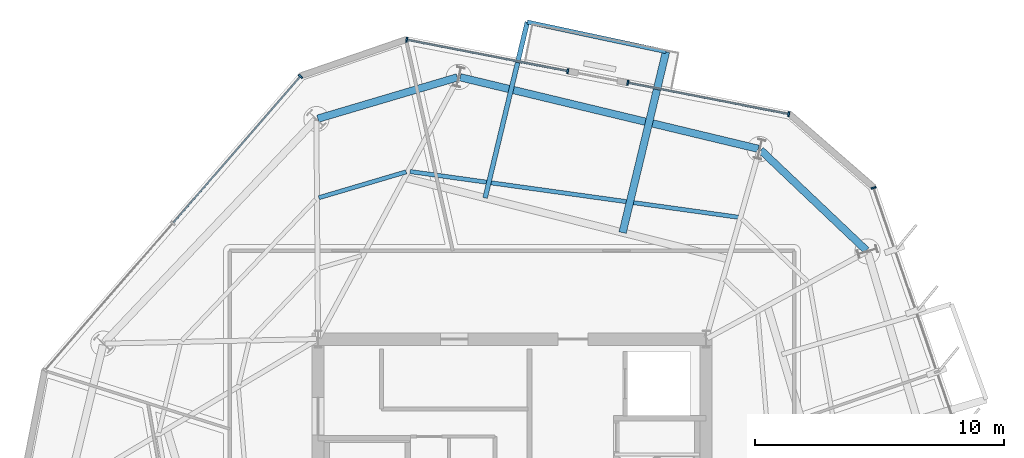
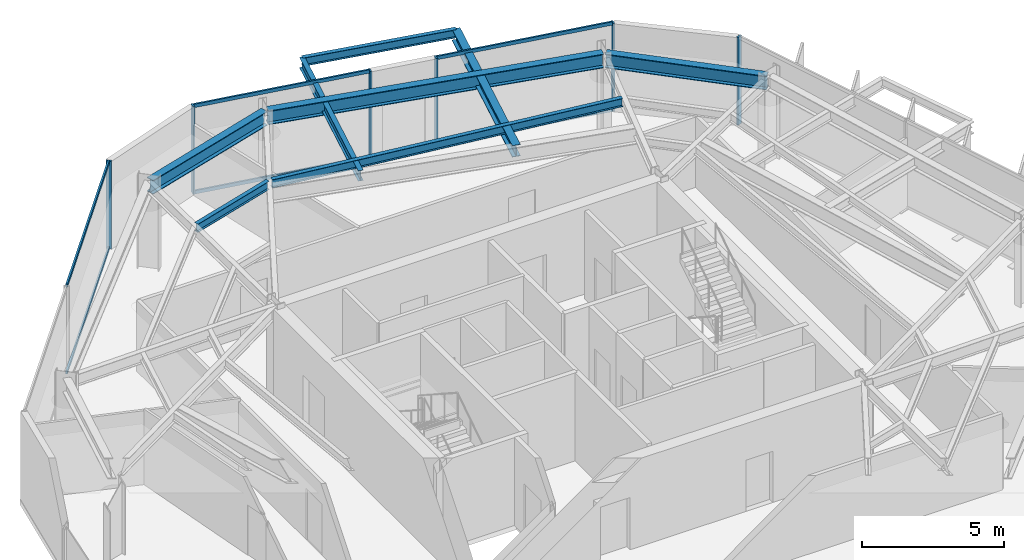
# One storey, part 5 of 11: 12 members, 8 beams, 4 elements without a shape of their own.
"""IFC4 building model written with IfcOpenShell, lengths in metres."""

from ifc_helpers import new_model, si_unit, direction, frame, origin, origin_2d, place, context, subcontext, project, spatial, rectangle, i_section, extrude, material, layer, layer_set, material_profile, profile_set, type_object, element, aggregate, save


model = new_model("IFC4")

# Units and contexts
model_context = context("Model", 3, precision=1e-05, world=origin(), true_north=direction((0.0, 1.0)))
body_context = subcontext(model_context, "Body", "Model", "MODEL_VIEW")
ifc_project = project(units=[si_unit("LENGTHUNIT", "METRE"), si_unit("AREAUNIT", "SQUARE_METRE"), si_unit("VOLUMEUNIT", "CUBIC_METRE"), si_unit("PLANEANGLEUNIT", "RADIAN"), si_unit("MASSUNIT", "GRAM", prefix="KILO")], contexts=[model_context])

# Site, building, storey
site_placement = place(None, origin())
site = spatial("IfcSite", under=ifc_project, at=site_placement, CompositionType="ELEMENT")
building_placement = place(site_placement, origin())
building = spatial("IfcBuilding", under=site, at=building_placement, Name="Kranzbogen Civic Tower", CompositionType="ELEMENT")
storey_placement = place(building_placement, frame((0.0, 0.0, 220.800048828125)))
storey = spatial("IfcBuildingStorey", under=building, at=storey_placement, Name="L53", CompositionType="ELEMENT", Elevation=220.800048828125)

# Beam
ifc_material_1 = material(Name="Steel S355", Category="steel")
ifc_material_profile_1 = material_profile(ifc_material_1, i_section(OverallWidth=0.18994140625, OverallDepth=0.449951171875, WebThickness=0.009521484375, FlangeThickness=0.0146484375, at=origin_2d()), Name="IPE 450")
ifc_profile_set_1 = profile_set([ifc_material_profile_1], Name="Steel S355")
beam_type_1 = type_object("IfcBeamType", Name="Braced Terrace Edge Beam IPE 450", PredefinedType="BEAM", material=ifc_profile_set_1)
beam_1_placement = place(storey_placement, frame((23.9189453125, 37.873046875, 3.494873046875), z_axis=(0.233435153913, 0.972372371532, 0.0), x_axis=(-0.972372371532, 0.233435153913, 0.0)))
element("IfcBeam", 1, at=beam_1_placement, inside=storey, type_object=beam_type_1, Name="L54 back-spanned terrace beam L54-ST-2", PredefinedType="BEAM", context=body_context, shape_type="SweptSolid", body=[
    extrude(i_section(OverallWidth=0.18994140625, OverallDepth=0.449951171875, WebThickness=0.009521484375, FlangeThickness=0.0146484375, at=origin_2d()), origin(), (0.0, 0.0, 1.0), 7.27392578125),
])

# Curtain wall, members
ifc_material_2 = material(Name="Pale Anodised Aluminium", Category="aluminium")
ifc_layer = layer(ifc_material_2, 0.219970703125, Name="Pale Anodised Aluminium")
ifc_layer_set = layer_set([ifc_layer], Name="Pale Anodised Aluminium")
curtain_wall_type = type_object("IfcCurtainWallType", Name="Zone 3 Stick Curtain Wall System CW-04", PredefinedType="USERDEFINED", material=ifc_layer_set)
curtain_wall_1_placement = place(storey_placement, origin())
curtain_wall_1 = element("IfcCurtainWall", 2, at=curtain_wall_1_placement, inside=storey, type_object=curtain_wall_type, Name="L53 curtain wall CW-L53-F1-S1", ObjectType="STICK CURTAIN WALL", PredefinedType="USERDEFINED")
ifc_material_profile_2 = material_profile(ifc_material_2, rectangle(XDim=0.070068359375, YDim=0.199951171875, at=origin_2d()), Name="ALU-M 70x200")
ifc_profile_set_2 = profile_set([ifc_material_profile_2], Name="Pale Anodised Aluminium")
member_type_1 = type_object("IfcMemberType", Name="Curtain Wall Mullion ALU-M 70x200", PredefinedType="MULLION", material=ifc_profile_set_2)
member_1_placement = place(storey_placement, frame((36.128662109375, 41.246826171875, 0.0), z_axis=(0.0, 0.0, 1.0), x_axis=(-0.981641195135, 0.190736897361, 0.0)))
member_1 = element("IfcMember", 3, at=member_1_placement, type_object=member_type_1, Name="CW-04 mullion 1", PredefinedType="MULLION", context=body_context, shape_type="SweptSolid", body=[
    extrude(rectangle(XDim=0.070068359375, YDim=0.199951171875, at=origin_2d()), origin(), (0.0, 0.0, 1.0), 3.780029296875),
])
member_2_placement = place(storey_placement, frame((29.656494140625, 42.50439453125, 0.0), z_axis=(0.0, 0.0, 1.0), x_axis=(-0.981641195135, 0.190736897361, 0.0)))
member_2 = element("IfcMember", 4, at=member_2_placement, type_object=member_type_1, Name="CW-04 mullion 2", PredefinedType="MULLION", context=body_context, shape_type="SweptSolid", body=[
    extrude(rectangle(XDim=0.070068359375, YDim=0.199951171875, at=origin_2d()), origin(), (0.0, 0.0, 1.0), 3.780029296875),
])

curtain_wall_2_placement = place(storey_placement, origin())
curtain_wall_2 = element("IfcCurtainWall", 5, at=curtain_wall_2_placement, inside=storey, type_object=curtain_wall_type, Name="L53 curtain wall CW-L53-F1-S2", ObjectType="STICK CURTAIN WALL", PredefinedType="USERDEFINED")
member_3_placement = place(storey_placement, frame((27.241455078125, 42.9736328125, 0.0), z_axis=(0.0, 0.0, 1.0), x_axis=(-0.981623990701, 0.190825419902, 0.0)))
member_3 = element("IfcMember", 6, at=member_3_placement, type_object=member_type_1, Name="CW-04 mullion 1", PredefinedType="MULLION", context=body_context, shape_type="SweptSolid", body=[
    extrude(rectangle(XDim=0.070068359375, YDim=0.199951171875, at=origin_2d()), origin(), (0.0, 0.0, 1.0), 3.780029296875),
])
member_4_placement = place(storey_placement, frame((20.767333984375, 44.232177734375, 0.0), z_axis=(0.0, 0.0, 1.0), x_axis=(-0.981623990701, 0.190825419902, 0.0)))
member_4 = element("IfcMember", 7, at=member_4_placement, type_object=member_type_1, Name="CW-04 mullion 2", PredefinedType="MULLION", context=body_context, shape_type="SweptSolid", body=[
    extrude(rectangle(XDim=0.070068359375, YDim=0.199951171875, at=origin_2d()), origin(), (0.0, 0.0, 1.0), 3.780029296875),
])

# Curtain wall, member
curtain_wall_3_placement = place(storey_placement, origin())
curtain_wall_3 = element("IfcCurtainWall", 8, at=curtain_wall_3_placement, inside=storey, type_object=curtain_wall_type, Name="L53 curtain wall CW-L53-F2", ObjectType="STICK CURTAIN WALL", PredefinedType="USERDEFINED")
member_5_placement = place(storey_placement, frame((16.494384765625, 42.761474609375, 0.0), z_axis=(0.0, 0.0, 1.0), x_axis=(-0.656044731829, -0.754722008318, 0.0)))
member_5 = element("IfcMember", 9, at=member_5_placement, type_object=member_type_1, Name="CW-04 mullion 1", PredefinedType="MULLION", context=body_context, shape_type="SweptSolid", body=[
    extrude(rectangle(XDim=0.070068359375, YDim=0.199951171875, at=origin_2d()), origin(), (0.0, 0.0, 1.0), 3.780029296875),
])

curtain_wall_4_placement = place(storey_placement, origin())
curtain_wall_4 = element("IfcCurtainWall", 10, at=curtain_wall_4_placement, inside=storey, type_object=curtain_wall_type, Name="L53 curtain wall CW-L53-F6", ObjectType="STICK CURTAIN WALL", PredefinedType="USERDEFINED")
member_6_placement = place(storey_placement, frame((39.539794921875, 38.280517578125, 0.0), z_axis=(0.0, 0.0, 1.0), x_axis=(-0.325590387457, 0.945510919871, 0.0)))
member_6 = element("IfcMember", 11, at=member_6_placement, type_object=member_type_1, Name="CW-04 mullion 3", PredefinedType="MULLION", context=body_context, shape_type="SweptSolid", body=[
    extrude(rectangle(XDim=0.070068359375, YDim=0.199951171875, at=origin_2d()), origin(), (0.0, 0.0, 1.0), 3.780029296875),
])
aggregate(curtain_wall_4, [member_6])

# Member
ifc_material_profile_3 = material_profile(ifc_material_2, rectangle(XDim=0.070068359375, YDim=0.14990234375, at=origin_2d()), Name="ALU-T 70x150")
ifc_profile_set_3 = profile_set([ifc_material_profile_3], Name="Pale Anodised Aluminium")
member_type_2 = type_object("IfcMemberType", Name="Curtain Wall Transom ALU-T 70x150", PredefinedType="USERDEFINED", material=ifc_profile_set_3)
member_7_placement = place(storey_placement, frame((36.09912109375, 41.25244140625, 0.030029296875), z_axis=(-0.981642413202, 0.190730628383, 0.0), x_axis=(-0.190730628383, -0.981642413202, 0.0)))
member_7 = element("IfcMember", 12, at=member_7_placement, type_object=member_type_2, Name="CW-04 transom 1.1", ObjectType="TRANSOM", PredefinedType="USERDEFINED", context=body_context, shape_type="SweptSolid", body=[
    extrude(rectangle(XDim=0.070068359375, YDim=0.14990234375, at=origin_2d()), origin(), (0.0, 0.0, 1.0), 6.533203125),
])

member_8_placement = place(storey_placement, frame((36.09912109375, 41.25244140625, 3.75), z_axis=(-0.981642413202, 0.190730628383, 0.0), x_axis=(-0.190730628383, -0.981642413202, 0.0)))
member_8 = element("IfcMember", 13, at=member_8_placement, type_object=member_type_2, Name="CW-04 transom 1.2", ObjectType="TRANSOM", PredefinedType="USERDEFINED", context=body_context, shape_type="SweptSolid", body=[
    extrude(rectangle(XDim=0.070068359375, YDim=0.14990234375, at=origin_2d()), origin(), (0.0, 0.0, 1.0), 6.533203125),
])

aggregate(curtain_wall_1, [member_1, member_2, member_7, member_8])

member_9_placement = place(storey_placement, frame((27.212158203125, 42.9794921875, 0.030029296875), z_axis=(-0.981625303873, 0.190818664695, 0.0), x_axis=(-0.190818664695, -0.981625303873, 0.0)))
member_9 = element("IfcMember", 14, at=member_9_placement, type_object=member_type_2, Name="CW-04 transom 1.1", ObjectType="TRANSOM", PredefinedType="USERDEFINED", context=body_context, shape_type="SweptSolid", body=[
    extrude(rectangle(XDim=0.070068359375, YDim=0.14990234375, at=origin_2d()), origin(), (0.0, 0.0, 1.0), 6.535400390625),
])

member_10_placement = place(storey_placement, frame((27.212158203125, 42.9794921875, 3.75), z_axis=(-0.981625303873, 0.190818664695, 0.0), x_axis=(-0.190818664695, -0.981625303873, 0.0)))
member_10 = element("IfcMember", 15, at=member_10_placement, type_object=member_type_2, Name="CW-04 transom 1.2", ObjectType="TRANSOM", PredefinedType="USERDEFINED", context=body_context, shape_type="SweptSolid", body=[
    extrude(rectangle(XDim=0.070068359375, YDim=0.14990234375, at=origin_2d()), origin(), (0.0, 0.0, 1.0), 6.535400390625),
])

aggregate(curtain_wall_2, [member_3, member_4, member_9, member_10])

member_11_placement = place(storey_placement, frame((16.474609375, 42.73876953125, 0.030029296875), z_axis=(-0.656045577915, -0.754721272854, 0.0), x_axis=(0.754721272854, -0.656045577915, 0.0)))
member_11 = element("IfcMember", 16, at=member_11_placement, type_object=member_type_2, Name="CW-04 transom 1.1", ObjectType="TRANSOM", PredefinedType="USERDEFINED", context=body_context, shape_type="SweptSolid", body=[
    extrude(rectangle(XDim=0.070068359375, YDim=0.14990234375, at=origin_2d()), origin(), (0.0, 0.0, 1.0), 7.763916015625),
])

member_12_placement = place(storey_placement, frame((16.474609375, 42.73876953125, 3.75), z_axis=(-0.656045577915, -0.754721272854, 0.0), x_axis=(0.754721272854, -0.656045577915, 0.0)))
member_12 = element("IfcMember", 17, at=member_12_placement, type_object=member_type_2, Name="CW-04 transom 1.2", ObjectType="TRANSOM", PredefinedType="USERDEFINED", context=body_context, shape_type="SweptSolid", body=[
    extrude(rectangle(XDim=0.070068359375, YDim=0.14990234375, at=origin_2d()), origin(), (0.0, 0.0, 1.0), 7.763916015625),
])

aggregate(curtain_wall_3, [member_5, member_11, member_12])

# Beams
ifc_material_profile_4 = material_profile(ifc_material_1, i_section(OverallWidth=0.300048828125, OverallDepth=0.5, WebThickness=0.014404296875, FlangeThickness=0.028076171875, at=origin_2d()), Name="HEB 500")
ifc_profile_set_4 = profile_set([ifc_material_profile_4], Name="Steel S355")
beam_type_2 = type_object("IfcBeamType", Name="Perimeter Tube Spandrel Beam HEB 500", PredefinedType="SPANDREL", material=ifc_profile_set_4)
beam_2_placement = place(storey_placement, frame((29.447998046875, 36.48095703125, 3.469970703125), z_axis=(0.233350740155, 0.972392632669, 0.0), x_axis=(-0.972392632669, 0.233350740155, 0.0)))
element("IfcBeam", 18, at=beam_2_placement, inside=storey, type_object=beam_type_2, Name="L54 back-spanned terrace beam L54-ST-1", PredefinedType="SPANDREL", context=body_context, shape_type="SweptSolid", body=[
    extrude(i_section(OverallWidth=0.300048828125, OverallDepth=0.5, WebThickness=0.014404296875, FlangeThickness=0.028076171875, at=origin_2d()), origin(), (0.0, 0.0, 1.0), 7.482666015625),
])
ifc_material_profile_5 = material_profile(ifc_material_1, i_section(OverallWidth=0.300048828125, OverallDepth=0.60009765625, WebThickness=0.015380859375, FlangeThickness=0.030029296875, at=origin_2d()), Name="HEB 600")
ifc_profile_set_5 = profile_set([ifc_material_profile_5], Name="Steel S355")
beam_type_3 = type_object("IfcBeamType", Name="Perimeter Tube Spandrel Beam HEB 600", PredefinedType="SPANDREL", material=ifc_profile_set_5)
beam_3_placement = place(storey_placement, frame((39.2490234375, 35.764892578125, 3.47998046875), z_axis=(-0.725245206788, 0.688490660816, 0.0), x_axis=(-0.688490660816, -0.725245206788, 0.0)))
element("IfcBeam", 19, at=beam_3_placement, inside=storey, type_object=beam_type_3, Name="L53 perimeter spandrel beam 07", PredefinedType="SPANDREL", context=body_context, shape_type="SweptSolid", body=[
    extrude(i_section(OverallWidth=0.300048828125, OverallDepth=0.60009765625, WebThickness=0.015380859375, FlangeThickness=0.030029296875, at=origin_2d()), origin(), (0.0, 0.0, 1.0), 5.85205078125),
])
beam_4_placement = place(storey_placement, frame((34.903076171875, 39.84912109375, 3.47998046875), z_axis=(-0.972377592092, 0.233413406637, 0.0), x_axis=(-0.233413406637, -0.972377592092, 0.0)))
element("IfcBeam", 20, at=beam_4_placement, inside=storey, type_object=beam_type_3, Name="L53 perimeter spandrel beam 08", PredefinedType="SPANDREL", context=body_context, shape_type="SweptSolid", body=[
    extrude(i_section(OverallWidth=0.300048828125, OverallDepth=0.60009765625, WebThickness=0.015380859375, FlangeThickness=0.030029296875, at=origin_2d()), origin(), (0.0, 0.0, 1.0), 12.32568359375),
])
beam_5_placement = place(storey_placement, frame((22.802001953125, 42.722900390625, 3.47998046875), z_axis=(-0.9588296723, -0.283981794341, 0.0), x_axis=(0.283981794341, -0.9588296723, 0.0)))
element("IfcBeam", 21, at=beam_5_placement, inside=storey, type_object=beam_type_3, Name="L53 perimeter spandrel beam 09", PredefinedType="SPANDREL", context=body_context, shape_type="SweptSolid", body=[
    extrude(i_section(OverallWidth=0.300048828125, OverallDepth=0.60009765625, WebThickness=0.015380859375, FlangeThickness=0.030029296875, at=origin_2d()), origin(), (0.0, 0.0, 1.0), 5.85205078125),
])
ifc_material_profile_6 = material_profile(ifc_material_1, i_section(OverallWidth=0.169921875, OverallDepth=0.360107421875, WebThickness=0.008056640625, FlangeThickness=0.0126953125, at=origin_2d()), Name="IPE 360")
ifc_profile_set_6 = profile_set([ifc_material_profile_6], Name="Steel S355")
beam_type_4 = type_object("IfcBeamType", Name="Secondary Composite Floor Joist IPE 360", PredefinedType="JOIST", material=ifc_profile_set_6)
beam_6_placement = place(storey_placement, frame((34.10400390625, 37.096923828125, 3.599853515625), z_axis=(-0.990445837232, 0.137902296968, 0.0), x_axis=(-0.137902296968, -0.990445837232, 0.0)))
element("IfcBeam", 22, at=beam_6_placement, inside=storey, type_object=beam_type_4, Name="L53 secondary floor joist 1.08", PredefinedType="JOIST", context=body_context, shape_type="SweptSolid", body=[
    extrude(i_section(OverallWidth=0.169921875, OverallDepth=0.360107421875, WebThickness=0.008056640625, FlangeThickness=0.0126953125, at=origin_2d()), origin(), (0.0, 0.0, 1.0), 13.329345703125),
])
beam_7_placement = place(storey_placement, frame((20.74609375, 38.923095703125, 3.599853515625), z_axis=(-0.958843823165, -0.283934011309, 0.0), x_axis=(0.283934011309, -0.958843823165, 0.0)))
element("IfcBeam", 23, at=beam_7_placement, inside=storey, type_object=beam_type_4, Name="L53 secondary floor joist 1.09", PredefinedType="JOIST", context=body_context, shape_type="SweptSolid", body=[
    extrude(i_section(OverallWidth=0.169921875, OverallDepth=0.360107421875, WebThickness=0.008056640625, FlangeThickness=0.0126953125, at=origin_2d()), origin(), (0.0, 0.0, 1.0), 3.662841796875),
])
beam_8_placement = place(storey_placement, frame((31.194091796875, 43.757080078125, 3.5400390625), z_axis=(-0.978022412109, 0.208499787558, 0.0), x_axis=(-0.208499787558, -0.978022412109, 0.0)))
element("IfcBeam", 24, at=beam_8_placement, inside=storey, type_object=beam_type_4, Name="L54 terrace outer edge trimmer L54-ST", PredefinedType="JOIST", context=body_context, shape_type="SweptSolid", body=[
    extrude(i_section(OverallWidth=0.169921875, OverallDepth=0.360107421875, WebThickness=0.008056640625, FlangeThickness=0.0126953125, at=origin_2d()), origin(), (0.0, 0.0, 1.0), 5.702392578125),
])

save(model, "model.ifc")
